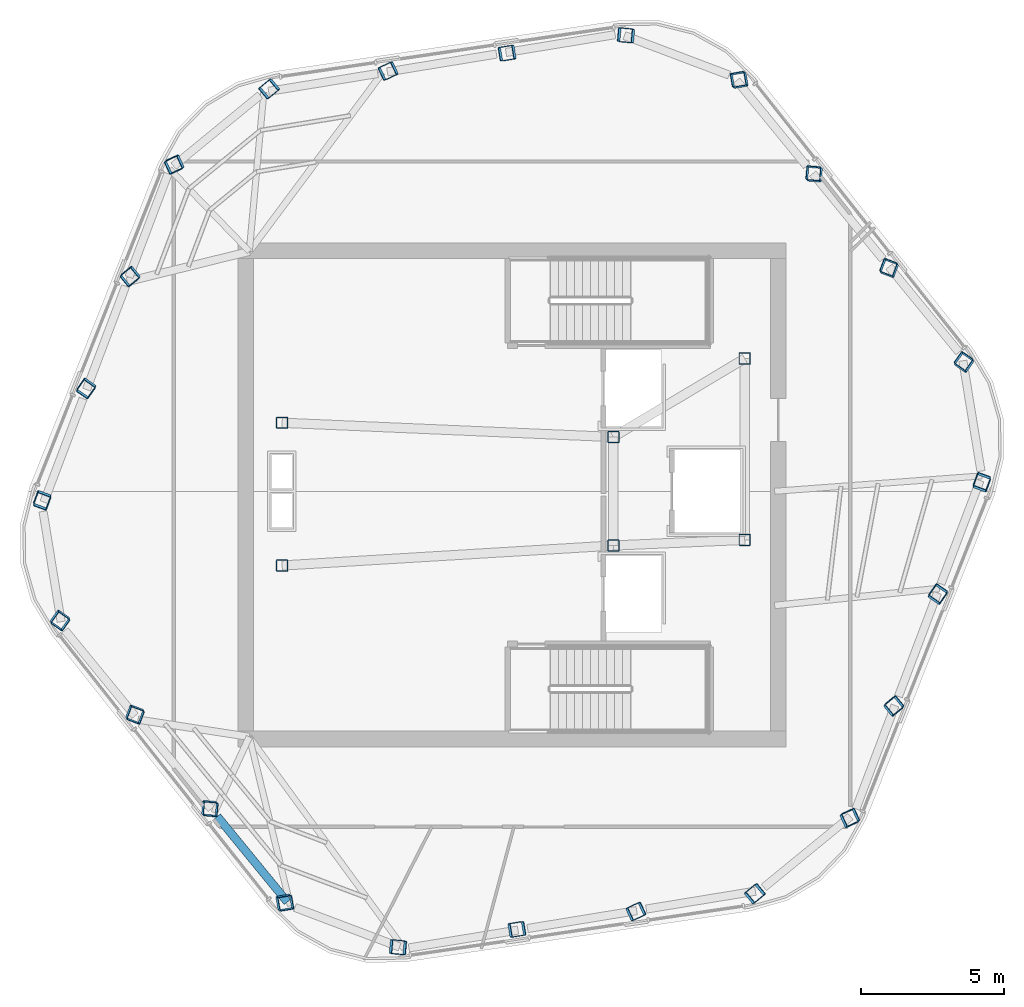
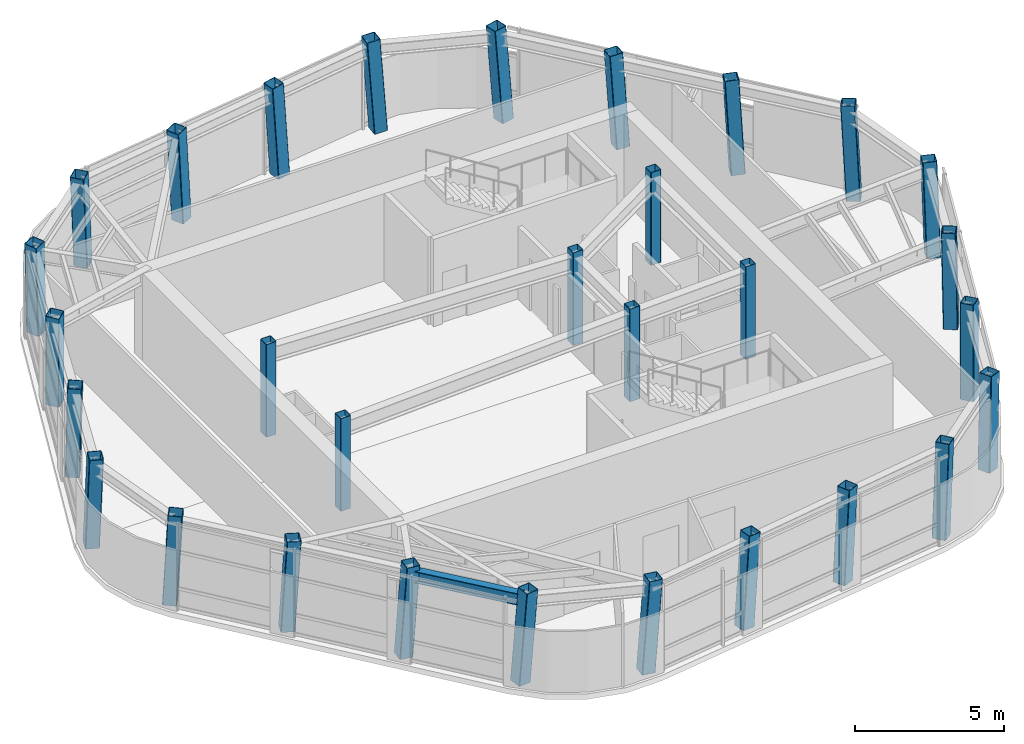
# One storey, part 1 of 9: 30 columns, 1 beam.
"""IFC4 building model written with IfcOpenShell, lengths in metres."""

from ifc_helpers import new_model, si_unit, direction, frame, origin, origin_2d, place, context, subcontext, project, spatial, hollow_rectangle, i_section, extrude, material, material_profile, profile_set, type_object, element, save


model = new_model("IFC4")

# Units and contexts
model_context = context("Model", 3, precision=1e-05, world=origin(), true_north=direction((0.0, 1.0)))
body_context = subcontext(model_context, "Body", "Model", "MODEL_VIEW")
ifc_project = project(units=[si_unit("LENGTHUNIT", "METRE"), si_unit("AREAUNIT", "SQUARE_METRE"), si_unit("VOLUMEUNIT", "CUBIC_METRE"), si_unit("PLANEANGLEUNIT", "RADIAN"), si_unit("MASSUNIT", "GRAM", prefix="KILO")], contexts=[model_context])

# Site, building, storey
site_placement = place(None, origin())
site = spatial("IfcSite", under=ifc_project, at=site_placement, CompositionType="ELEMENT")
building_placement = place(site_placement, origin())
building = spatial("IfcBuilding", under=site, at=building_placement, Name="Valkerne Bourse Tower", CompositionType="ELEMENT")
storey_placement = place(building_placement, frame((0.0, 0.0, 319.199951171875)))
storey = spatial("IfcBuildingStorey", under=building, at=storey_placement, Name="L81", CompositionType="ELEMENT", Elevation=319.199951171875)

# Columns
ifc_material_1 = material(Name="Steel ASTM A500 Grade C", Category="steel")
ifc_material_profile_1 = material_profile(ifc_material_1, hollow_rectangle(XDim=0.39990234375, YDim=0.39990234375, WallThickness=0.01611328125, OuterFilletRadius=0.031982421875, at=origin_2d()), Name="HSS400X400X16")
ifc_profile_set_1 = profile_set([ifc_material_profile_1], Name="Steel ASTM A500 Grade C")
column_type_1 = type_object("IfcColumnType", Name="COL-HSS400X400X16", PredefinedType="COLUMN", material=ifc_profile_set_1)
for number, where, z_axis, x_axis, name in (
    (1, (38.75, 24.39990234375, 0.005126953125), (0.0, 0.0, 1.0), (1.0, 0.0, 0.0), "L81 Core Frame Column CC-SW"),
    (2, (38.75, 29.39990234375, 0.005126953125), (0.0, 0.0, 1.0), (1.0, 0.0, 0.0), "L81 Core Frame Column CC-NW"),
    (3, (50.35009765625, 25.10009765625, 0.005126953125), (0.0, 0.0, 1.0), (1.0, 0.0, 0.0), "L81 Core Frame Column CC-CE1"),
    (4, (50.35009765625, 28.89990234375, 0.005126953125), (0.0, 0.0, 1.0), (1.0, 0.0, 0.0), "L81 Core Frame Column CC-CE2"),
    (5, (54.949951171875, 25.300048828125, 0.005126953125), (0.0, 0.0, 1.0), (1.0, 0.0, 0.0), "L81 Core Frame Column CC-SE"),
    (6, (54.949951171875, 31.64990234375, 0.005126953125), (0.0, 0.0, 1.0), (1.0, 0.0, 0.0), "L81 Core Frame Column CC-NE"),
):
    element("IfcColumn", number, at=place(storey_placement, frame(where, z_axis=z_axis, x_axis=x_axis)), inside=storey, type_object=column_type_1, Name=name, PredefinedType="COLUMN", context=body_context, shape_type="SweptSolid", body=[
        extrude(hollow_rectangle(XDim=0.39990234375, YDim=0.39990234375, WallThickness=0.01611328125, OuterFilletRadius=0.031982421875, at=origin_2d()), origin(), (0.0, 0.0, 1.0), 3.794921875),
    ])
ifc_material_profile_2 = material_profile(ifc_material_1, hollow_rectangle(XDim=0.5, YDim=0.5, WallThickness=0.02001953125, OuterFilletRadius=0.0400390625, at=origin_2d()), Name="HSS500X500X20")
ifc_profile_set_2 = profile_set([ifc_material_profile_2], Name="Steel ASTM A500 Grade C")
column_type_2 = type_object("IfcColumnType", Name="COL-HSS500X500X20", PredefinedType="COLUMN", material=ifc_profile_set_2)
column_1_placement = place(storey_placement, frame((50.829833984375, 42.958740234375, 0.010009765625), z_axis=(-0.066223841667, 0.01616943994, 0.997673770331), x_axis=(0.093066942377, 0.995610051709, -0.009958371939)))
element("IfcColumn", 7, at=column_1_placement, inside=storey, type_object=column_type_2, Name="L81 Helical Perimeter Tube Column F1-C1", PredefinedType="COLUMN", context=body_context, shape_type="SweptSolid", body=[
    extrude(hollow_rectangle(XDim=0.5, YDim=0.5, WallThickness=0.02001953125, OuterFilletRadius=0.0400390625, at=origin_2d()), origin(), (0.0, 0.0, 1.0), 3.789794921875),
])
for number, where, z_axis, x_axis, name in (
    (8, (46.6630859375, 42.34326171875, 0.010009765625), (-0.063601804761, -0.001031032296, 0.997974823031), (-0.161802762253, 0.986779366465, -0.009292364982), "L81 Helical Perimeter Tube Column F1-C2"),
    (9, (42.496337890625, 41.72802734375, 0.010009765625), (-0.060959639331, -0.018300779672, 0.997972446431), (-0.42407942162, 0.905577271625, -0.009297810274), "L81 Helical Perimeter Tube Column F1-C3"),
):
    element("IfcColumn", number, at=place(storey_placement, frame(where, z_axis=z_axis, x_axis=x_axis)), inside=storey, type_object=column_type_2, Name=name, PredefinedType="COLUMN", context=body_context, shape_type="SweptSolid", body=[
        extrude(hollow_rectangle(XDim=0.5, YDim=0.5, WallThickness=0.02001953125, OuterFilletRadius=0.0400390625, at=origin_2d()), origin(), (0.0, 0.0, 1.0), 3.78857421875),
    ])
for number, where, z_axis, x_axis, name in (
    (10, (38.32958984375, 41.11279296875, 0.010009765625), (-0.05823549383, -0.035559726321, 0.997669350598), (-0.639940485476, 0.768359823052, -0.009967816656), "L81 Helical Perimeter Tube Column F1-C4"),
    (11, (34.994384765625, 38.469482421875, 0.010009765625), (-0.047155224674, -0.049345494672, 0.997667984322), (-0.907008607167, -0.416302901625, -0.063460858984), "L81 Helical Perimeter Tube Column F2-C1"),
):
    element("IfcColumn", number, at=place(storey_placement, frame(where, z_axis=z_axis, x_axis=x_axis)), inside=storey, type_object=column_type_2, Name=name, PredefinedType="COLUMN", context=body_context, shape_type="SweptSolid", body=[
        extrude(hollow_rectangle(XDim=0.5, YDim=0.5, WallThickness=0.02001953125, OuterFilletRadius=0.0400390625, at=origin_2d()), origin(), (0.0, 0.0, 1.0), 3.789794921875),
    ])
for number, where, z_axis, x_axis, name in (
    (12, (33.44384765625, 34.552978515625, 0.010009765625), (-0.030866543141, -0.055611329291, 0.997975268516), (-0.772174921414, -0.632652145741, -0.059136733333), "L81 Helical Perimeter Tube Column F2-C2"),
    (13, (31.893310546875, 30.636962890625, 0.010009765625), (-0.014627751718, -0.061926296922, 0.99797352802), (-0.571574685422, -0.818414456488, -0.059162119602), "L81 Helical Perimeter Tube Column F2-C3"),
):
    element("IfcColumn", number, at=place(storey_placement, frame(where, z_axis=z_axis, x_axis=x_axis)), inside=storey, type_object=column_type_2, Name=name, PredefinedType="COLUMN", context=body_context, shape_type="SweptSolid", body=[
        extrude(hollow_rectangle(XDim=0.5, YDim=0.5, WallThickness=0.02001953125, OuterFilletRadius=0.0400390625, at=origin_2d()), origin(), (0.0, 0.0, 1.0), 3.78857421875),
    ])
for number, where, z_axis, x_axis, name in (
    (14, (30.3427734375, 26.720703125, 0.010009765625), (0.001674913822, -0.06822052836, 0.99766885998), (-0.345246355746, -0.936364877425, -0.063448957186), "L81 Helical Perimeter Tube Column F2-C4"),
    (15, (30.96435546875, 22.5107421875, 0.010009765625), (0.019132655889, -0.065514851985, 0.997668154071), (0.815420249683, -0.576392948442, -0.053488179939), "L81 Helical Perimeter Tube Column F3-C1"),
):
    element("IfcColumn", number, at=place(storey_placement, frame(where, z_axis=z_axis, x_axis=x_axis)), inside=storey, type_object=column_type_2, Name=name, PredefinedType="COLUMN", context=body_context, shape_type="SweptSolid", body=[
        extrude(hollow_rectangle(XDim=0.5, YDim=0.5, WallThickness=0.02001953125, OuterFilletRadius=0.0400390625, at=origin_2d()), origin(), (0.0, 0.0, 1.0), 3.789794921875),
    ])
for number, where, z_axis, x_axis, name in (
    (16, (33.580810546875, 19.209716796875, 0.010009765625), (0.032670948482, -0.054516020544, 0.997978262604), (0.934838341234, -0.351562772864, -0.049808558459), "L81 Helical Perimeter Tube Column F3-C2"),
    (17, (36.197021484375, 15.908935546875, 0.010009765625), (0.046331930593, -0.043625475677, 0.997973030738), (0.995223392024, -0.083923142902, -0.049872898987), "L81 Helical Perimeter Tube Column F3-C3"),
):
    element("IfcColumn", number, at=place(storey_placement, frame(where, z_axis=z_axis, x_axis=x_axis)), inside=storey, type_object=column_type_2, Name=name, PredefinedType="COLUMN", context=body_context, shape_type="SweptSolid", body=[
        extrude(hollow_rectangle(XDim=0.5, YDim=0.5, WallThickness=0.02001953125, OuterFilletRadius=0.0400390625, at=origin_2d()), origin(), (0.0, 0.0, 1.0), 3.78857421875),
    ])
for number, where, z_axis, x_axis, name in (
    (18, (38.813232421875, 12.60791015625, 0.010009765625), (0.059910530798, -0.032596482348, 0.997671387601), (0.983655959846, 0.171941646845, -0.053451124773), "L81 Helical Perimeter Tube Column F3-C4"),
    (19, (42.77001953125, 11.041259765625, 0.010009765625), (0.066287978816, -0.016169370926, 0.997669512067), (0.092844582912, 0.995630721167, 0.009967471763), "L81 Helical Perimeter Tube Column F4-C1"),
):
    element("IfcColumn", number, at=place(storey_placement, frame(where, z_axis=z_axis, x_axis=x_axis)), inside=storey, type_object=column_type_2, Name=name, PredefinedType="COLUMN", context=body_context, shape_type="SweptSolid", body=[
        extrude(hollow_rectangle(XDim=0.5, YDim=0.5, WallThickness=0.02001953125, OuterFilletRadius=0.0400390625, at=origin_2d()), origin(), (0.0, 0.0, 1.0), 3.789794921875),
    ])
for number, where, z_axis, x_axis, name in (
    (20, (46.93701171875, 11.65673828125, 0.010009765625), (0.063601804761, 0.001031032296, 0.997974823031), (-0.161802762253, 0.986779366465, 0.009292364982), "L81 Helical Perimeter Tube Column F4-C2"),
    (21, (51.103759765625, 12.27197265625, 0.010009765625), (0.06089543905, 0.018300851524, 0.997976364618), (-0.424343831392, 0.905453494319, 0.009288831167), "L81 Helical Perimeter Tube Column F4-C3"),
):
    element("IfcColumn", number, at=place(storey_placement, frame(where, z_axis=z_axis, x_axis=x_axis)), inside=storey, type_object=column_type_2, Name=name, PredefinedType="COLUMN", context=body_context, shape_type="SweptSolid", body=[
        extrude(hollow_rectangle(XDim=0.5, YDim=0.5, WallThickness=0.02001953125, OuterFilletRadius=0.0400390625, at=origin_2d()), origin(), (0.0, 0.0, 1.0), 3.78857421875),
    ])
for number, where, z_axis, x_axis, name in (
    (22, (55.2705078125, 12.88720703125, 0.010009765625), (0.05823549383, 0.035559726321, 0.997669350598), (-0.639940485476, 0.768359823052, 0.009967816656), "L81 Helical Perimeter Tube Column F4-C4"),
    (23, (58.605712890625, 15.530517578125, 0.010009765625), (0.04709094792, 0.049345644469, 0.997671012908), (-0.906726087432, -0.416924148824, 0.063419685408), "L81 Helical Perimeter Tube Column F5-C1"),
):
    element("IfcColumn", number, at=place(storey_placement, frame(where, z_axis=z_axis, x_axis=x_axis)), inside=storey, type_object=column_type_2, Name=name, PredefinedType="COLUMN", context=body_context, shape_type="SweptSolid", body=[
        extrude(hollow_rectangle(XDim=0.5, YDim=0.5, WallThickness=0.02001953125, OuterFilletRadius=0.0400390625, at=origin_2d()), origin(), (0.0, 0.0, 1.0), 3.789794921875),
    ])
for number, where, z_axis, x_axis, name in (
    (24, (60.15625, 19.447021484375, 0.010009765625), (0.030866543141, 0.055611329291, 0.997975268516), (-0.772174921414, -0.632652145741, 0.059136733333), "L81 Helical Perimeter Tube Column F5-C2"),
    (25, (61.706787109375, 23.363037109375, 0.010009765625), (0.014563325981, 0.061926355165, 0.997974466643), (-0.570767798529, -0.818978377815, 0.059148430525), "L81 Helical Perimeter Tube Column F5-C3"),
):
    element("IfcColumn", number, at=place(storey_placement, frame(where, z_axis=z_axis, x_axis=x_axis)), inside=storey, type_object=column_type_2, Name=name, PredefinedType="COLUMN", context=body_context, shape_type="SweptSolid", body=[
        extrude(hollow_rectangle(XDim=0.5, YDim=0.5, WallThickness=0.02001953125, OuterFilletRadius=0.0400390625, at=origin_2d()), origin(), (0.0, 0.0, 1.0), 3.78857421875),
    ])
for number, where, z_axis, x_axis, name in (
    (26, (63.257080078125, 27.279296875, 0.010009765625), (-0.001674913822, 0.06822052836, 0.99766885998), (-0.345246355746, -0.936364877425, 0.063448957186), "L81 Helical Perimeter Tube Column F5-C4"),
    (27, (62.635498046875, 31.4892578125, 0.010009765625), (-0.019132655889, 0.065514851985, 0.997668154071), (0.815420249683, -0.576392948442, 0.053488179939), "L81 Helical Perimeter Tube Column F6-C1"),
):
    element("IfcColumn", number, at=place(storey_placement, frame(where, z_axis=z_axis, x_axis=x_axis)), inside=storey, type_object=column_type_2, Name=name, PredefinedType="COLUMN", context=body_context, shape_type="SweptSolid", body=[
        extrude(hollow_rectangle(XDim=0.5, YDim=0.5, WallThickness=0.02001953125, OuterFilletRadius=0.0400390625, at=origin_2d()), origin(), (0.0, 0.0, 1.0), 3.789794921875),
    ])
for number, where, z_axis, x_axis, name in (
    (28, (60.019287109375, 34.790283203125, 0.010009765625), (-0.032735319237, 0.054515905658, 0.997976159487), (0.935142729383, -0.350748635132, 0.049834432224), "L81 Helical Perimeter Tube Column F6-C2"),
    (29, (57.403076171875, 38.091064453125, 0.010009765625), (-0.046331930593, 0.043625475677, 0.997973030738), (0.995223392024, -0.083923142902, 0.049872898987), "L81 Helical Perimeter Tube Column F6-C3"),
):
    element("IfcColumn", number, at=place(storey_placement, frame(where, z_axis=z_axis, x_axis=x_axis)), inside=storey, type_object=column_type_2, Name=name, PredefinedType="COLUMN", context=body_context, shape_type="SweptSolid", body=[
        extrude(hollow_rectangle(XDim=0.5, YDim=0.5, WallThickness=0.02001953125, OuterFilletRadius=0.0400390625, at=origin_2d()), origin(), (0.0, 0.0, 1.0), 3.78857421875),
    ])
column_2_placement = place(storey_placement, frame((54.78662109375, 41.39208984375, 0.010009765625), z_axis=(-0.059846341722, 0.032596608085, 0.997675235998), x_axis=(0.983736188388, 0.171495787411, 0.053406989771)))
element("IfcColumn", 30, at=column_2_placement, inside=storey, type_object=column_type_2, Name="L81 Helical Perimeter Tube Column F6-C4", PredefinedType="COLUMN", context=body_context, shape_type="SweptSolid", body=[
    extrude(hollow_rectangle(XDim=0.5, YDim=0.5, WallThickness=0.02001953125, OuterFilletRadius=0.0400390625, at=origin_2d()), origin(), (0.0, 0.0, 1.0), 3.789794921875),
])

# Beam
ifc_material_2 = material(Name="Steel ASTM A992", Category="steel")
ifc_material_profile_3 = material_profile(ifc_material_2, i_section(OverallWidth=0.284423828125, OverallDepth=0.47509765625, WebThickness=0.014892578125, FlangeThickness=0.02392578125, FilletRadius=0.017822265625, at=origin_2d()), Name="W18X106")
ifc_profile_set_3 = profile_set([ifc_material_profile_3], Name="Steel ASTM A992")
beam_type = type_object("IfcBeamType", Name="BM-W18X106", PredefinedType="BEAM", material=ifc_profile_set_3)
beam_placement = place(storey_placement, frame((36.480224609375, 15.612060546875, 3.342529296875), z_axis=(0.63339916281, -0.773825239025, 0.0), x_axis=(0.773825239025, 0.63339916281, 0.0)))
element("IfcBeam", 31, at=beam_placement, inside=storey, type_object=beam_type, Name="L81 Hexagonal Spandrel Ring Beam 10", PredefinedType="BEAM", context=body_context, shape_type="SweptSolid", body=[
    extrude(i_section(OverallWidth=0.284423828125, OverallDepth=0.47509765625, WebThickness=0.014892578125, FlangeThickness=0.02392578125, FilletRadius=0.017822265625, at=origin_2d()), origin(), (0.0, 0.0, 1.0), 3.871826171875),
])

save(model, "model.ifc")
